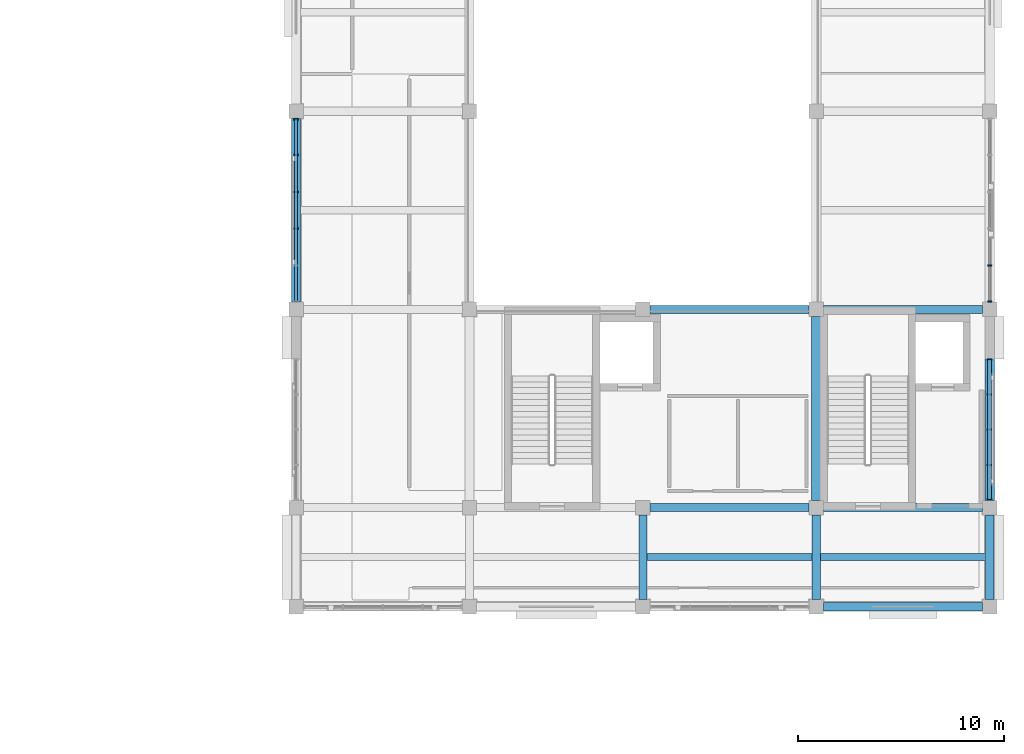
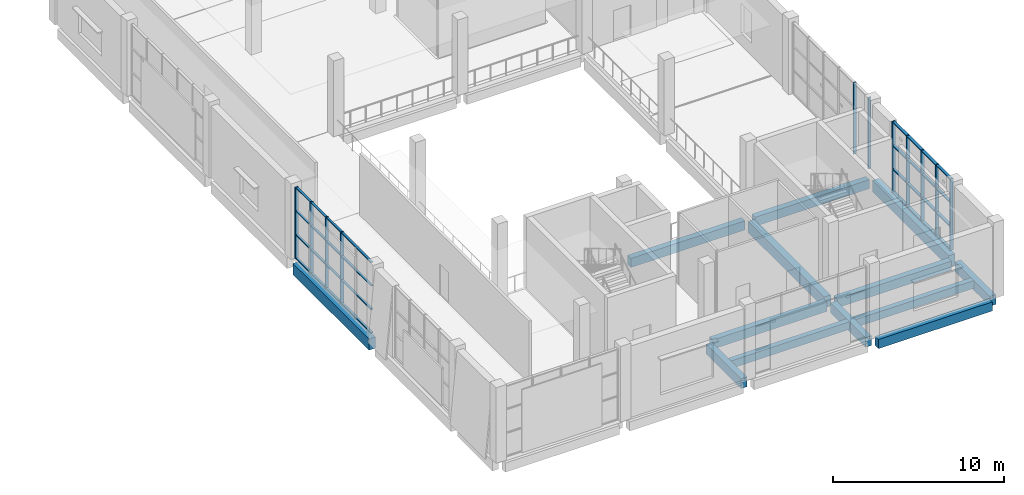
# One storey, part 28 of 72: 19 members, 13 beams, 3 elements without a shape of their own.
"""IFC4 building model written with IfcOpenShell, lengths in metres."""

from ifc_helpers import new_model, si_unit, direction, frame, origin, origin_2d, place, context, subcontext, project, spatial, rectangle, extrude, material, material_profile, profile_set, type_object, element, aggregate, save


model = new_model("IFC4")

# Units and contexts
model_context = context("Model", 3, precision=1e-05, world=origin(), true_north=direction((0.0, 1.0)))
body_context = subcontext(model_context, "Body", "Model", "MODEL_VIEW")
ifc_project = project(units=[si_unit("LENGTHUNIT", "METRE"), si_unit("AREAUNIT", "SQUARE_METRE"), si_unit("VOLUMEUNIT", "CUBIC_METRE"), si_unit("PLANEANGLEUNIT", "RADIAN"), si_unit("MASSUNIT", "GRAM", prefix="KILO")], contexts=[model_context])

# Site, building, storey
site_placement = place(None, origin())
site = spatial("IfcSite", under=ifc_project, at=site_placement, CompositionType="ELEMENT")
building_placement = place(site_placement, origin())
building = spatial("IfcBuilding", under=site, at=building_placement, Name="Shalvenor Court Art Gallery", CompositionType="ELEMENT")
storey_placement = place(building_placement, frame((0.0, 0.0, 11.39990234375)))
storey = spatial("IfcBuildingStorey", under=building, at=storey_placement, Name="L02", CompositionType="ELEMENT", Elevation=11.39990234375)

# Beams
ifc_material_1 = material(Name="Concrete C40/50", Category="concrete")
ifc_material_profile_1 = material_profile(ifc_material_1, rectangle(XDim=0.449951171875, YDim=0.800048828125, at=origin_2d()), Name="RC 450x800")
ifc_profile_set_1 = profile_set([ifc_material_profile_1], Name="Concrete C40/50")
beam_type_1 = type_object("IfcBeamType", Name="B-03", PredefinedType="BEAM", material=ifc_profile_set_1)
for number, where, z_axis, x_axis, name in (
    (1, (142.800048828125, 60.35009765625, -0.719970703125), (0.0, 1.0, 0.0), (-1.0, 0.0, 0.0), "L02 Girder BM-L02-B-03-0772"),
    (2, (168.0, 50.75, -0.719970703125), (0.0, 1.0, 0.0), (-1.0, 0.0, 0.0), "L02 Girder BM-L02-B-03-0786"),
    (3, (176.39990234375, 50.75, -0.719970703125), (0.0, 1.0, 0.0), (-1.0, 0.0, 0.0), "L02 Girder BM-L02-B-03-0792"),
):
    element("IfcBeam", number, at=place(storey_placement, frame(where, z_axis=z_axis, x_axis=x_axis)), inside=storey, type_object=beam_type_1, Name=name, PredefinedType="BEAM", context=body_context, shape_type="SweptSolid", body=[
        extrude(rectangle(XDim=0.449951171875, YDim=0.800048828125, at=origin_2d()), origin(), (0.0, 0.0, 1.0), 8.89990234375),
    ])
ifc_material_2 = material(Name="Concrete C40/50", Category="concrete")
ifc_material_profile_2 = material_profile(ifc_material_2, rectangle(XDim=0.39990234375, YDim=0.699951171875, at=origin_2d()), Name="RC 400x700")
ifc_profile_set_2 = profile_set([ifc_material_profile_2], Name="Concrete C40/50")
beam_type_2 = type_object("IfcBeamType", Name="B-05", PredefinedType="BEAM", material=ifc_profile_set_2)
for number, where, z_axis, x_axis, name in (
    (4, (159.60009765625, 45.949951171875, -0.669921875), (0.0, 1.0, 0.0), (-1.0, 0.0, 0.0), "L02 Girder BM-L02-B-05-0782"),
    (5, (168.0, 45.949951171875, -0.669921875), (0.0, 1.0, 0.0), (-1.0, 0.0, 0.0), "L02 Girder BM-L02-B-05-0785"),
    (6, (176.39990234375, 45.949951171875, -0.669921875), (0.0, 1.0, 0.0), (-1.0, 0.0, 0.0), "L02 Girder BM-L02-B-05-0791"),
):
    element("IfcBeam", number, at=place(storey_placement, frame(where, z_axis=z_axis, x_axis=x_axis)), inside=storey, type_object=beam_type_2, Name=name, PredefinedType="BEAM", context=body_context, shape_type="SweptSolid", body=[
        extrude(rectangle(XDim=0.39990234375, YDim=0.699951171875, at=origin_2d()), origin(), (0.0, 0.0, 1.0), 4.10009765625),
    ])
ifc_material_3 = material(Name="Concrete C40/50", Category="concrete")
ifc_material_profile_3 = material_profile(ifc_material_3, rectangle(XDim=0.39990234375, YDim=0.64990234375, at=origin_2d()), Name="RC 400x650")
ifc_profile_set_3 = profile_set([ifc_material_profile_3], Name="Concrete C40/50")
beam_type_3 = type_object("IfcBeamType", Name="B-06", PredefinedType="BEAM", material=ifc_profile_set_3)
for number, where, z_axis, x_axis, name in (
    (7, (168.35009765625, 45.60009765625, -0.64501953125), (1.0, 0.0, 0.0), (0.0, 1.0, 0.0), "L02 Girder BM-L02-B-06-0844"),
    (8, (159.949951171875, 50.39990234375, -0.64501953125), (1.0, 0.0, 0.0), (0.0, 1.0, 0.0), "L02 Girder BM-L02-B-06-0847"),
    (9, (168.35009765625, 50.39990234375, -0.64501953125), (1.0, 0.0, 0.0), (0.0, 1.0, 0.0), "L02 Girder BM-L02-B-06-0848"),
    (10, (159.949951171875, 60.0, -0.64501953125), (1.0, 0.0, 0.0), (0.0, 1.0, 0.0), "L02 Girder BM-L02-B-06-0851"),
    (11, (168.35009765625, 60.0, -0.64501953125), (1.0, 0.0, 0.0), (0.0, 1.0, 0.0), "L02 Girder BM-L02-B-06-0852"),
):
    element("IfcBeam", number, at=place(storey_placement, frame(where, z_axis=z_axis, x_axis=x_axis)), inside=storey, type_object=beam_type_3, Name=name, PredefinedType="BEAM", context=body_context, shape_type="SweptSolid", body=[
        extrude(rectangle(XDim=0.39990234375, YDim=0.64990234375, at=origin_2d()), origin(), (0.0, 0.0, 1.0), 7.699951171875),
    ])

# Curtain wall, members
ifc_material_4 = material(Name="Anodised aluminium and low-iron glass curtain wall", Category="aluminium")
curtain_wall_type_1 = type_object("IfcCurtainWallType", Name="CW-5x3-89-51-222", PredefinedType="USERDEFINED", material=ifc_material_4)
curtain_wall_1_placement = place(storey_placement, origin())
curtain_wall_1 = element("IfcCurtainWall", 12, at=curtain_wall_1_placement, inside=storey, type_object=curtain_wall_type_1, Name="L02 V1 Curtain Wall CW-L02-013", ObjectType="CURTAIN WALL", PredefinedType="USERDEFINED")
ifc_material_5 = material(Name="Anodised aluminium mullion", Category="aluminium")
ifc_material_profile_4 = material_profile(ifc_material_5, rectangle(XDim=0.070068359375, YDim=0.199951171875, at=origin_2d()), Name="CWM-02")
ifc_profile_set_4 = profile_set([ifc_material_profile_4], Name="Anodised aluminium mullion")
member_type_1 = type_object("IfcMemberType", Name="CWM-02", PredefinedType="MULLION", material=ifc_profile_set_4)
member_1_placement = place(storey_placement, frame((176.39990234375, 62.1298828125, 0.0), z_axis=(0.0, 0.0, 1.0), x_axis=(0.0, -1.0, 0.0)))
member_1 = element("IfcMember", 13, at=member_1_placement, type_object=member_type_1, Name="CW-5x3-89-51-222 mullion 5", PredefinedType="MULLION", context=body_context, shape_type="SweptSolid", body=[
    extrude(rectangle(XDim=0.070068359375, YDim=0.199951171875, at=origin_2d()), origin(), (0.0, 0.0, 1.0), 5.10009765625),
])
member_2_placement = place(storey_placement, frame((176.39990234375, 60.385009765625, 0.0), z_axis=(0.0, 0.0, 1.0), x_axis=(0.0, -1.0, 0.0)))
member_2 = element("IfcMember", 14, at=member_2_placement, type_object=member_type_1, Name="CW-5x3-89-51-222 mullion 6", PredefinedType="MULLION", context=body_context, shape_type="SweptSolid", body=[
    extrude(rectangle(XDim=0.070068359375, YDim=0.199951171875, at=origin_2d()), origin(), (0.0, 0.0, 1.0), 5.10009765625),
])
aggregate(curtain_wall_1, [member_1, member_2])

ifc_material_6 = material(Name="Anodised aluminium and low-iron glass curtain wall", Category="aluminium")
curtain_wall_type_2 = type_object("IfcCurtainWallType", Name="CW-4x3-68-51-442", PredefinedType="USERDEFINED", material=ifc_material_6)
curtain_wall_2_placement = place(storey_placement, origin())
curtain_wall_2 = element("IfcCurtainWall", 15, at=curtain_wall_2_placement, inside=storey, type_object=curtain_wall_type_2, Name="L02 V1 Curtain Wall CW-L02-014", ObjectType="CURTAIN WALL", PredefinedType="USERDEFINED")
ifc_material_7 = material(Name="Anodised aluminium mullion", Category="aluminium")
ifc_material_profile_5 = material_profile(ifc_material_7, rectangle(XDim=0.074951171875, YDim=0.219970703125, at=origin_2d()), Name="CWM-04")
ifc_profile_set_5 = profile_set([ifc_material_profile_5], Name="Anodised aluminium mullion")
member_type_2 = type_object("IfcMemberType", Name="CWM-04", PredefinedType="MULLION", material=ifc_profile_set_5)
member_3_placement = place(storey_placement, frame((176.39990234375, 57.5625, 0.0), z_axis=(0.0, 0.0, 1.0), x_axis=(0.0, -1.0, 0.0)))
member_3 = element("IfcMember", 16, at=member_3_placement, type_object=member_type_2, Name="CW-4x3-68-51-442 mullion 1", PredefinedType="MULLION", context=body_context, shape_type="SweptSolid", body=[
    extrude(rectangle(XDim=0.074951171875, YDim=0.219970703125, at=origin_2d()), origin(), (0.0, 0.0, 1.0), 5.10009765625),
])
member_4_placement = place(storey_placement, frame((176.39990234375, 55.887451171875, 0.0), z_axis=(0.0, 0.0, 1.0), x_axis=(0.0, -1.0, 0.0)))
member_4 = element("IfcMember", 17, at=member_4_placement, type_object=member_type_2, Name="CW-4x3-68-51-442 mullion 2", PredefinedType="MULLION", context=body_context, shape_type="SweptSolid", body=[
    extrude(rectangle(XDim=0.074951171875, YDim=0.219970703125, at=origin_2d()), origin(), (0.0, 0.0, 1.0), 5.10009765625),
])
member_5_placement = place(storey_placement, frame((176.39990234375, 54.175048828125, 0.0), z_axis=(0.0, 0.0, 1.0), x_axis=(0.0, -1.0, 0.0)))
member_5 = element("IfcMember", 18, at=member_5_placement, type_object=member_type_2, Name="CW-4x3-68-51-442 mullion 3", PredefinedType="MULLION", context=body_context, shape_type="SweptSolid", body=[
    extrude(rectangle(XDim=0.074951171875, YDim=0.219970703125, at=origin_2d()), origin(), (0.0, 0.0, 1.0), 5.10009765625),
])
member_6_placement = place(storey_placement, frame((176.39990234375, 52.46240234375, 0.0), z_axis=(0.0, 0.0, 1.0), x_axis=(0.0, -1.0, 0.0)))
member_6 = element("IfcMember", 19, at=member_6_placement, type_object=member_type_2, Name="CW-4x3-68-51-442 mullion 4", PredefinedType="MULLION", context=body_context, shape_type="SweptSolid", body=[
    extrude(rectangle(XDim=0.074951171875, YDim=0.219970703125, at=origin_2d()), origin(), (0.0, 0.0, 1.0), 5.10009765625),
])
member_7_placement = place(storey_placement, frame((176.39990234375, 50.78759765625, 0.0), z_axis=(0.0, 0.0, 1.0), x_axis=(0.0, -1.0, 0.0)))
member_7 = element("IfcMember", 20, at=member_7_placement, type_object=member_type_2, Name="CW-4x3-68-51-442 mullion 5", PredefinedType="MULLION", context=body_context, shape_type="SweptSolid", body=[
    extrude(rectangle(XDim=0.074951171875, YDim=0.219970703125, at=origin_2d()), origin(), (0.0, 0.0, 1.0), 5.10009765625),
])

ifc_material_8 = material(Name="Anodised aluminium and low-iron glass curtain wall", Category="aluminium")
curtain_wall_type_3 = type_object("IfcCurtainWallType", Name="CW-5x3-89-51-412", PredefinedType="USERDEFINED", material=ifc_material_8)
curtain_wall_3_placement = place(storey_placement, origin())
curtain_wall_3 = element("IfcCurtainWall", 21, at=curtain_wall_3_placement, inside=storey, type_object=curtain_wall_type_3, Name="L02 V1 Curtain Wall CW-L02-018", ObjectType="CURTAIN WALL", PredefinedType="USERDEFINED")
member_8_placement = place(storey_placement, frame((142.800048828125, 63.909912109375, 0.0), z_axis=(0.0, 0.0, 1.0), x_axis=(0.0, 1.0, 0.0)))
member_8 = element("IfcMember", 22, at=member_8_placement, type_object=member_type_2, Name="CW-5x3-89-51-412 mullion 3", PredefinedType="MULLION", context=body_context, shape_type="SweptSolid", body=[
    extrude(rectangle(XDim=0.074951171875, YDim=0.219970703125, at=origin_2d()), origin(), (0.0, 0.0, 1.0), 5.10009765625),
])
member_9_placement = place(storey_placement, frame((142.800048828125, 65.68994140625, 0.0), z_axis=(0.0, 0.0, 1.0), x_axis=(0.0, 1.0, 0.0)))
member_9 = element("IfcMember", 23, at=member_9_placement, type_object=member_type_2, Name="CW-5x3-89-51-412 mullion 4", PredefinedType="MULLION", context=body_context, shape_type="SweptSolid", body=[
    extrude(rectangle(XDim=0.074951171875, YDim=0.219970703125, at=origin_2d()), origin(), (0.0, 0.0, 1.0), 5.10009765625),
])
member_10_placement = place(storey_placement, frame((142.800048828125, 67.469970703125, 0.0), z_axis=(0.0, 0.0, 1.0), x_axis=(0.0, 1.0, 0.0)))
member_10 = element("IfcMember", 24, at=member_10_placement, type_object=member_type_2, Name="CW-5x3-89-51-412 mullion 5", PredefinedType="MULLION", context=body_context, shape_type="SweptSolid", body=[
    extrude(rectangle(XDim=0.074951171875, YDim=0.219970703125, at=origin_2d()), origin(), (0.0, 0.0, 1.0), 5.10009765625),
])
member_11_placement = place(storey_placement, frame((142.800048828125, 69.21240234375, 0.0), z_axis=(0.0, 0.0, 1.0), x_axis=(0.0, 1.0, 0.0)))
member_11 = element("IfcMember", 25, at=member_11_placement, type_object=member_type_2, Name="CW-5x3-89-51-412 mullion 6", PredefinedType="MULLION", context=body_context, shape_type="SweptSolid", body=[
    extrude(rectangle(XDim=0.074951171875, YDim=0.219970703125, at=origin_2d()), origin(), (0.0, 0.0, 1.0), 5.10009765625),
])
ifc_material_9 = material(Name="Anodised aluminium transom", Category="aluminium")
ifc_material_profile_6 = material_profile(ifc_material_9, rectangle(XDim=0.14990234375, YDim=0.06005859375, at=origin_2d()), Name="CWT-01")
ifc_profile_set_6 = profile_set([ifc_material_profile_6], Name="Anodised aluminium transom")
member_type_3 = type_object("IfcMemberType", Name="CWT-01", PredefinedType="USERDEFINED", material=ifc_profile_set_6)
member_12_placement = place(storey_placement, frame((142.800048828125, 60.387451171875, 0.030029296875), z_axis=(0.0, 1.0, 0.0), x_axis=(-1.0, 0.0, 0.0)))
member_12 = element("IfcMember", 26, at=member_12_placement, type_object=member_type_3, Name="CW-5x3-89-51-412 transom 1", ObjectType="TRANSOM", PredefinedType="USERDEFINED", context=body_context, shape_type="SweptSolid", body=[
    extrude(rectangle(XDim=0.14990234375, YDim=0.06005859375, at=origin_2d()), origin(), (0.0, 0.0, 1.0), 8.824951171875),
])
member_13_placement = place(storey_placement, frame((142.800048828125, 60.387451171875, 1.7001953125), z_axis=(0.0, 1.0, 0.0), x_axis=(-1.0, 0.0, 0.0)))
member_13 = element("IfcMember", 27, at=member_13_placement, type_object=member_type_3, Name="CW-5x3-89-51-412 transom 2", ObjectType="TRANSOM", PredefinedType="USERDEFINED", context=body_context, shape_type="SweptSolid", body=[
    extrude(rectangle(XDim=0.14990234375, YDim=0.06005859375, at=origin_2d()), origin(), (0.0, 0.0, 1.0), 8.824951171875),
])
member_14_placement = place(storey_placement, frame((142.800048828125, 60.387451171875, 3.400146484375), z_axis=(0.0, 1.0, 0.0), x_axis=(-1.0, 0.0, 0.0)))
member_14 = element("IfcMember", 28, at=member_14_placement, type_object=member_type_3, Name="CW-5x3-89-51-412 transom 3", ObjectType="TRANSOM", PredefinedType="USERDEFINED", context=body_context, shape_type="SweptSolid", body=[
    extrude(rectangle(XDim=0.14990234375, YDim=0.06005859375, at=origin_2d()), origin(), (0.0, 0.0, 1.0), 8.824951171875),
])
member_15_placement = place(storey_placement, frame((142.800048828125, 60.387451171875, 5.070068359375), z_axis=(0.0, 1.0, 0.0), x_axis=(-1.0, 0.0, 0.0)))
member_15 = element("IfcMember", 29, at=member_15_placement, type_object=member_type_3, Name="CW-5x3-89-51-412 transom 4", ObjectType="TRANSOM", PredefinedType="USERDEFINED", context=body_context, shape_type="SweptSolid", body=[
    extrude(rectangle(XDim=0.14990234375, YDim=0.06005859375, at=origin_2d()), origin(), (0.0, 0.0, 1.0), 8.824951171875),
])
aggregate(curtain_wall_3, [member_8, member_9, member_10, member_11, member_12, member_13, member_14, member_15])

# Member
ifc_material_10 = material(Name="Anodised aluminium transom", Category="aluminium")
ifc_material_profile_7 = material_profile(ifc_material_10, rectangle(XDim=0.18994140625, YDim=0.070068359375, at=origin_2d()), Name="CWT-04")
ifc_profile_set_7 = profile_set([ifc_material_profile_7], Name="Anodised aluminium transom")
member_type_4 = type_object("IfcMemberType", Name="CWT-04", PredefinedType="USERDEFINED", material=ifc_profile_set_7)
member_16_placement = place(storey_placement, frame((176.39990234375, 57.5625, 0.03515625), z_axis=(0.0, -1.0, 0.0), x_axis=(1.0, 0.0, 0.0)))
member_16 = element("IfcMember", 30, at=member_16_placement, type_object=member_type_4, Name="CW-4x3-68-51-442 transom 1", ObjectType="TRANSOM", PredefinedType="USERDEFINED", context=body_context, shape_type="SweptSolid", body=[
    extrude(rectangle(XDim=0.18994140625, YDim=0.070068359375, at=origin_2d()), origin(), (0.0, 0.0, 1.0), 6.77490234375),
])

member_17_placement = place(storey_placement, frame((176.39990234375, 57.5625, 1.7001953125), z_axis=(0.0, -1.0, 0.0), x_axis=(1.0, 0.0, 0.0)))
member_17 = element("IfcMember", 31, at=member_17_placement, type_object=member_type_4, Name="CW-4x3-68-51-442 transom 2", ObjectType="TRANSOM", PredefinedType="USERDEFINED", context=body_context, shape_type="SweptSolid", body=[
    extrude(rectangle(XDim=0.18994140625, YDim=0.070068359375, at=origin_2d()), origin(), (0.0, 0.0, 1.0), 6.77490234375),
])

member_18_placement = place(storey_placement, frame((176.39990234375, 57.5625, 3.400146484375), z_axis=(0.0, -1.0, 0.0), x_axis=(1.0, 0.0, 0.0)))
member_18 = element("IfcMember", 32, at=member_18_placement, type_object=member_type_4, Name="CW-4x3-68-51-442 transom 3", ObjectType="TRANSOM", PredefinedType="USERDEFINED", context=body_context, shape_type="SweptSolid", body=[
    extrude(rectangle(XDim=0.18994140625, YDim=0.070068359375, at=origin_2d()), origin(), (0.0, 0.0, 1.0), 6.77490234375),
])

member_19_placement = place(storey_placement, frame((176.39990234375, 57.5625, 5.065185546875), z_axis=(0.0, -1.0, 0.0), x_axis=(1.0, 0.0, 0.0)))
member_19 = element("IfcMember", 33, at=member_19_placement, type_object=member_type_4, Name="CW-4x3-68-51-442 transom 4", ObjectType="TRANSOM", PredefinedType="USERDEFINED", context=body_context, shape_type="SweptSolid", body=[
    extrude(rectangle(XDim=0.18994140625, YDim=0.070068359375, at=origin_2d()), origin(), (0.0, 0.0, 1.0), 6.77490234375),
])

aggregate(curtain_wall_2, [member_3, member_4, member_5, member_6, member_7, member_16, member_17, member_18, member_19])

# Beams
ifc_material_11 = material(Name="Concrete C40/50", Category="concrete")
ifc_material_profile_8 = material_profile(ifc_material_11, rectangle(XDim=0.35009765625, YDim=0.550048828125, at=origin_2d()), Name="RC 350x550")
ifc_profile_set_8 = profile_set([ifc_material_profile_8], Name="Concrete C40/50")
beam_type_4 = type_object("IfcBeamType", Name="J-02", PredefinedType="JOIST", material=ifc_profile_set_8)
for number, where, z_axis, x_axis, name in (
    (34, (159.800048828125, 48.0, -0.594970703125), (1.0, 0.0, 0.0), (0.0, 1.0, 0.0), "L02 Secondary Beam JST-L02-J-02-0958"),
    (35, (168.199951171875, 48.0, -0.594970703125), (1.0, 0.0, 0.0), (0.0, 1.0, 0.0), "L02 Secondary Beam JST-L02-J-02-0961"),
):
    element("IfcBeam", number, at=place(storey_placement, frame(where, z_axis=z_axis, x_axis=x_axis)), inside=storey, type_object=beam_type_4, Name=name, PredefinedType="JOIST", context=body_context, shape_type="SweptSolid", body=[
        extrude(rectangle(XDim=0.35009765625, YDim=0.550048828125, at=origin_2d()), origin(), (0.0, 0.0, 1.0), 8.0),
    ])

save(model, "model.ifc")
